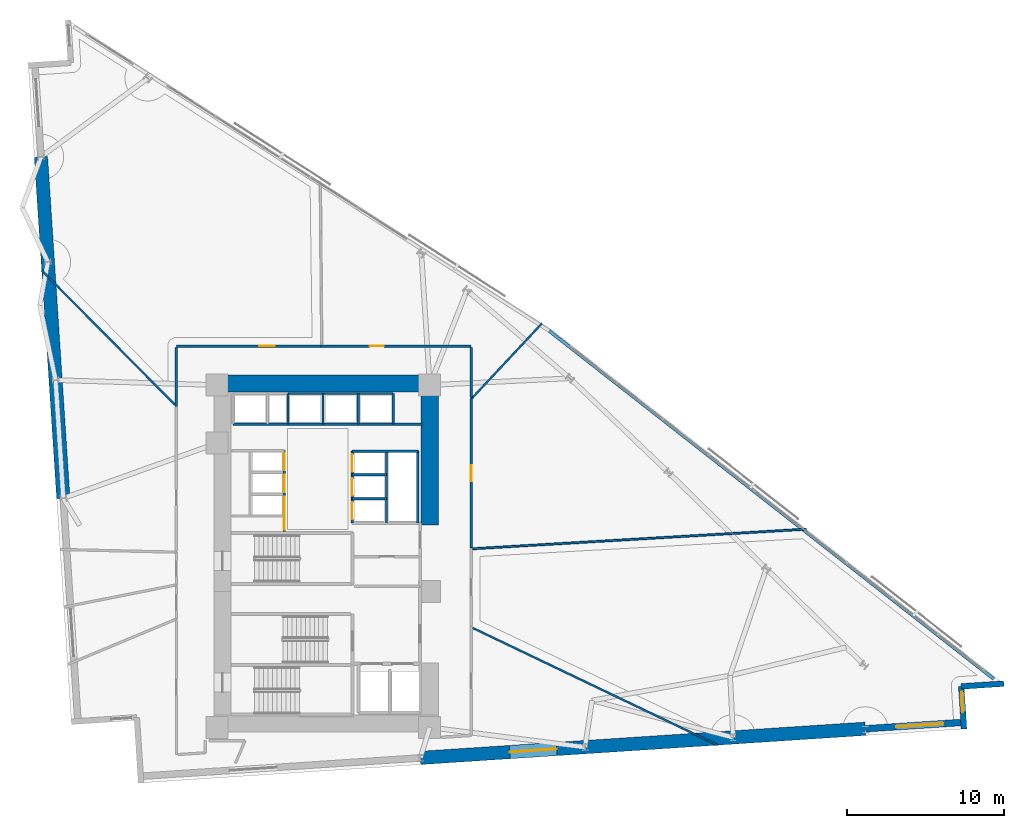
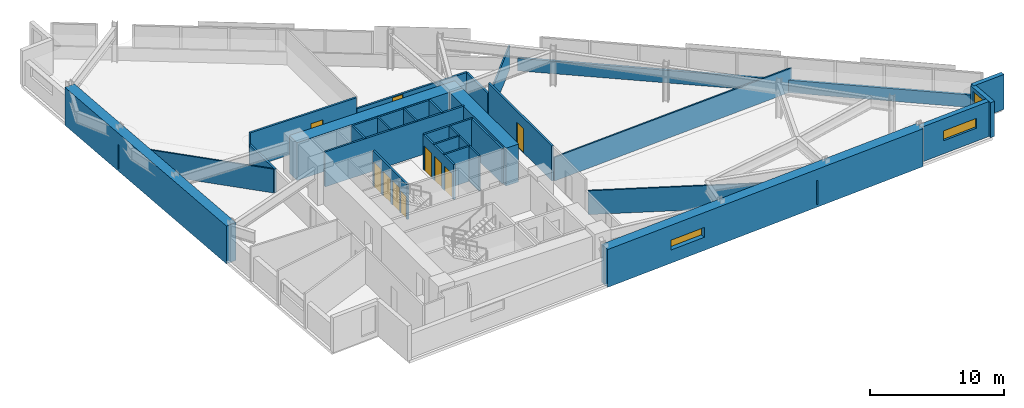
# One storey, part 12 of 15: 30 walls, 10 doors, 3 windows, 13 openings.
"""IFC4 building model written with IfcOpenShell, lengths in metres."""

import ifcopenshell
import ifcopenshell.guid

model = None  # the IFC model being written
_history = None  # IfcOwnerHistory: only IFC2X3 demands one
_inside = {}  # id of a spatial element -> (the spatial element, [elements in it])
_under = {}  # id of a project, library or spatial element -> (it, [spatial elements below it])
_declared = {}  # id of a project -> (the project, [libraries it declares])
_typed = {}  # id of a type object -> (the type object, [elements of that type])
_made_of = {}  # id of a material, layer set ... -> (it, [elements and type objects made of it])


def new_model(schema):
    """Start an empty IFC model of exactly this schema.

    Asked for "IFC4X3", IfcOpenShell would pick the latest addendum, in which some entities
    have other attributes; the version numbers below select the first issue.
    IFC2X3 requires an IfcOwnerHistory on every rooted entity: one is made here for all.
    """
    global model, _history
    if schema == "IFC4X3":
        model = ifcopenshell.file(schema_version=(4, 3, 0, 0))
    else:
        model = ifcopenshell.file(schema=schema)
    _inside.clear()
    _under.clear()
    _declared.clear()
    _typed.clear()
    _made_of.clear()
    _history = None
    if model.schema == "IFC2X3":
        org = make("IfcOrganization", Name="unknown")
        user = make(
            "IfcPersonAndOrganization",
            ThePerson=make("IfcPerson", FamilyName="unknown"),
            TheOrganization=org,
        )
        app = make(
            "IfcApplication",
            ApplicationDeveloper=org,
            Version="unknown",
            ApplicationFullName="unknown",
            ApplicationIdentifier="unknown",
        )
        _history = make(
            "IfcOwnerHistory",
            OwningUser=user,
            OwningApplication=app,
            ChangeAction="ADDED",
            CreationDate=0,
        )
    return model


def make(cls, **values):
    """One entity of the class cls with the attributes given. An attribute that is None is left unset."""
    return model.create_entity(
        cls, **{name: value for name, value in values.items() if value is not None}
    )


def rooted(cls, **values):
    """An entity with a GlobalId (a new one), such as an element, a storey or a relation."""
    return make(cls, GlobalId=ifcopenshell.guid.new(), OwnerHistory=_history, **values)


def si_unit(unit_type, name, prefix=None):
    """IfcSIUnit, for example si_unit("LENGTHUNIT", "METRE", prefix="MILLI")."""
    return make("IfcSIUnit", UnitType=unit_type, Prefix=prefix, Name=name)


def assignment(units):
    """IfcUnitAssignment: the units of a project."""
    return None if units is None else make("IfcUnitAssignment", Units=units)


def point(xyz):
    """IfcCartesianPoint."""
    return None if xyz is None else make("IfcCartesianPoint", Coordinates=xyz)


def direction(xyz):
    """IfcDirection."""
    return None if xyz is None else make("IfcDirection", DirectionRatios=xyz)


def frame(location, z_axis=None, x_axis=None):
    """IfcAxis2Placement3D, a coordinate frame: its origin and axes. An axis left out is left unset."""
    return make(
        "IfcAxis2Placement3D",
        Location=point(location),
        Axis=direction(z_axis),
        RefDirection=direction(x_axis),
    )


def frame_2d(location, x_axis=None):
    """IfcAxis2Placement2D, a coordinate frame in the plane: its origin and x axis."""
    return make(
        "IfcAxis2Placement2D", Location=point(location), RefDirection=direction(x_axis)
    )


def origin():
    """The frame at (0, 0, 0) with its axes left unset."""
    return frame((0.0, 0.0, 0.0))


def place(relative_to, where):
    """IfcLocalPlacement: puts the frame where relative to a parent placement (None: the world)."""
    return make(
        "IfcLocalPlacement", PlacementRelTo=relative_to, RelativePlacement=where
    )


def context(
    kind, dimensions, precision=None, world=None, true_north=None, identifier=None
):
    """IfcGeometricRepresentationContext, for example the 3D "Model" context."""
    return make(
        "IfcGeometricRepresentationContext",
        ContextIdentifier=identifier,
        ContextType=kind,
        CoordinateSpaceDimension=dimensions,
        Precision=precision,
        WorldCoordinateSystem=world,
        TrueNorth=true_north,
    )


def subcontext(parent, identifier, kind, view, scale=None):
    """IfcGeometricRepresentationSubContext, for example "Body" below "Model"."""
    return make(
        "IfcGeometricRepresentationSubContext",
        ContextIdentifier=identifier,
        ContextType=kind,
        ParentContext=parent,
        TargetScale=scale,
        TargetView=view,
    )


def project(units=None, contexts=None):
    """IfcProject with its units and contexts."""
    return rooted(
        "IfcProject",
        Name="project",
        RepresentationContexts=contexts,
        UnitsInContext=assignment(units),
    )


def spatial(cls, under=None, at=None, **own):
    """A site, building, storey or space (cls), placed at a placement, below another one or the project."""
    s = rooted(cls, ObjectPlacement=at, **own)
    if under is not None:
        _under.setdefault(under.id(), (under, []))[1].append(s)
    return s


def profile(cls, at=None, kind="AREA", **sizes):
    """A parametric profile (cls). Its sizes go by their IFC names, for example OverallWidth=200.0."""
    return make(cls, ProfileType=kind, Position=at, **sizes)


def rectangle(**sizes):
    """IfcRectangleProfileDef."""
    return profile("IfcRectangleProfileDef", **sizes)


def extrude(swept, where, along, depth):
    """IfcExtrudedAreaSolid: the profile swept, set in the frame where, extruded along a direction by depth."""
    return make(
        "IfcExtrudedAreaSolid",
        SweptArea=swept,
        Position=where,
        ExtrudedDirection=direction(along),
        Depth=depth,
    )


def shape(context_of_items, identifier, shape_type, items):
    """IfcShapeRepresentation: the items that make up one representation, for example the "Body"."""
    return make(
        "IfcShapeRepresentation",
        ContextOfItems=context_of_items,
        RepresentationIdentifier=identifier,
        RepresentationType=shape_type,
        Items=items,
    )


def material(Name=None, Category=None):
    """IfcMaterial."""
    return make("IfcMaterial", Name=Name, Category=Category)


def layer(
    of_material, thickness, ventilated=None, Name=None, Category=None, Priority=None
):
    """IfcMaterialLayer: one layer of a wall or slab, of a material (None: an air gap)."""
    return make(
        "IfcMaterialLayer",
        Material=of_material,
        LayerThickness=thickness,
        IsVentilated=ventilated,
        Name=Name,
        Category=Category,
        Priority=Priority,
    )


def layer_set(layers, Name=None):
    """IfcMaterialLayerSet."""
    return make("IfcMaterialLayerSet", MaterialLayers=layers, LayerSetName=Name)


def made_of(thing, what):
    """Note that an element or type object is made of a material, layer set ...; save() writes the relation."""
    if what is not None:
        _made_of.setdefault(what.id(), (what, []))[1].append(thing)
    return thing


def type_object(cls, material=None, **own):
    """A type object (cls), such as IfcWallType, which elements share."""
    return made_of(rooted(cls, **own), material)


def element(
    cls,
    number,
    at=None,
    inside=None,
    cuts=None,
    type_object=None,
    material=None,
    context=None,
    identifier="Body",
    shape_type=None,
    held_by="IfcProductDefinitionShape",
    body=None,
    shapes=None,
    **own,
):
    """One element of the class cls, such as IfcWall. Its Tag is "e" and its number.

    at: its placement. inside: the storey or other place that contains it. cuts: it is an
    opening in that element (IfcRelVoidsElement). A single representation is given by context,
    identifier, shape_type and body (its items); several are given by shapes. held_by: the class
    of the entity that holds the representations. save() writes the other relations.
    """
    e = rooted(cls, Tag="e%d" % number, ObjectPlacement=at, **own)
    if body is not None:
        shapes = [shape(context, identifier, shape_type, body)]
    if shapes is not None:
        e.Representation = make(held_by, Representations=shapes)
    if inside is not None:
        _inside.setdefault(inside.id(), (inside, []))[1].append(e)
    if cuts is not None:
        rooted(
            "IfcRelVoidsElement", RelatingBuildingElement=cuts, RelatedOpeningElement=e
        )
    if type_object is not None:
        _typed.setdefault(type_object.id(), (type_object, []))[1].append(e)
    return made_of(e, material)


def fill(opening, filler):
    """IfcRelFillsElement: the door or window that sits in an opening."""
    return rooted(
        "IfcRelFillsElement",
        RelatingOpeningElement=opening,
        RelatedBuildingElement=filler,
    )


def aggregate(whole, parts):
    """IfcRelAggregates: a whole, such as a stair, and the parts it consists of."""
    return rooted("IfcRelAggregates", RelatingObject=whole, RelatedObjects=parts)


def save(model, path):
    """Write the relations noted so far, then the file.

    IfcRelAggregates (storeys below a building ...), IfcRelContainedInSpatialStructure (elements
    in a storey), IfcRelDefinesByType, IfcRelAssociatesMaterial and IfcRelDeclares: one each for
    every whole, place, type object, material and project.
    """
    for whole, parts in _under.values():
        aggregate(whole, parts)
    for where, things in _inside.values():
        rooted(
            "IfcRelContainedInSpatialStructure",
            RelatedElements=things,
            RelatingStructure=where,
        )
    for kind, things in _typed.values():
        rooted("IfcRelDefinesByType", RelatedObjects=things, RelatingType=kind)
    for what, things in _made_of.values():
        rooted("IfcRelAssociatesMaterial", RelatedObjects=things, RelatingMaterial=what)
    for by, libraries in _declared.values():
        rooted("IfcRelDeclares", RelatingContext=by, RelatedDefinitions=libraries)
    model.write(path)


model = new_model("IFC4")

# Units and contexts
model_context = context("Model", 3, precision=1e-05, world=origin(), true_north=direction((0.0, 1.0)))
body_context = subcontext(model_context, "Body", "Model", "MODEL_VIEW")
ifc_project = project(units=[si_unit("LENGTHUNIT", "METRE"), si_unit("AREAUNIT", "SQUARE_METRE"), si_unit("VOLUMEUNIT", "CUBIC_METRE"), si_unit("PLANEANGLEUNIT", "RADIAN"), si_unit("MASSUNIT", "GRAM", prefix="KILO")], contexts=[model_context])

# Site, building, storey
site_placement = place(None, origin())
site = spatial("IfcSite", under=ifc_project, at=site_placement, CompositionType="ELEMENT")
building_placement = place(site_placement, origin())
building = spatial("IfcBuilding", under=site, at=building_placement, Name="Narakoshi Arena Tower", CompositionType="ELEMENT")
storey_placement = place(building_placement, frame((0.0, 0.0, 92.10009765625)))
storey = spatial("IfcBuildingStorey", under=building, at=storey_placement, Name="L24", CompositionType="ELEMENT", Elevation=92.10009765625)

# Walls
ifc_material_1 = material(Name="Concrete C60/75", Category="concrete")
ifc_layer_1 = layer(ifc_material_1, 1.10009765625)
ifc_layer_set_1 = layer_set([ifc_layer_1], Name="Concrete C60/75")
wall_type_1 = type_object("IfcWallType", Name="WL-CORE-1100", PredefinedType="SHEAR", material=ifc_layer_set_1)
wall_1_placement = place(storey_placement, frame((71.800048828125, 56.60009765625, -0.260009765625), z_axis=(0.0, 0.0, 1.0), x_axis=(1.0, 0.0, 0.0)))
element("IfcWall", 1, at=wall_1_placement, inside=storey, type_object=wall_type_1, Name="L24 Main Core Shear Wall CW-MN-N", PredefinedType="SHEAR", context=body_context, shape_type="SweptSolid", body=[
    extrude(rectangle(XDim=14.300048828125, YDim=1.10009765625, at=frame_2d((7.14990234375, 0.0))), origin(), (0.0, 0.0, 1.0), 3.4599609375),
])
wall_2_placement = place(storey_placement, frame((85.550048828125, 47.60009765625, -0.260009765625), z_axis=(0.0, 0.0, 1.0), x_axis=(0.0, 1.0, 0.0)))
element("IfcWall", 2, at=wall_2_placement, inside=storey, type_object=wall_type_1, Name="L24 Main Core Shear Wall CW-MN-E", PredefinedType="SHEAR", context=body_context, shape_type="SweptSolid", body=[
    extrude(rectangle(XDim=8.449951171875, YDim=1.10009765625, at=frame_2d((4.22509765625, 0.0))), origin(), (0.0, 0.0, 1.0), 3.4599609375),
])

# Wall, opening, door
ifc_material_2 = material(Name="Gypsum plasterboard fire-rated partition")
ifc_layer_2 = layer(ifc_material_2, 0.1650390625)
ifc_layer_set_2 = layer_set([ifc_layer_2], Name="Gypsum plasterboard fire-rated partition")
wall_type_2 = type_object("IfcWallType", Name="WL-CORR-165", PredefinedType="PARTITIONING", material=ifc_layer_set_2)
wall_3_placement = place(storey_placement, frame((88.193603515625, 46.12890625, 0.0), z_axis=(0.0, 0.0, 1.0), x_axis=(0.0, 1.0, 0.0)))
wall_3 = element("IfcWall", 3, at=wall_3_placement, inside=storey, type_object=wall_type_2, Name="L24 Corridor Partition 06-1", PredefinedType="PARTITIONING", context=body_context, shape_type="SweptSolid", body=[
    extrude(rectangle(XDim=9.509521484375, YDim=0.1650390625, at=frame_2d((4.7548828125, 0.0))), origin(), (0.0, 0.0, 1.0), 3.199951171875),
])
opening_1_placement = place(wall_3_placement, frame((4.254638671875, 0.0, 0.0)))
opening_1 = element("IfcOpeningElement", 4, at=opening_1_placement, cuts=wall_3, Name="Opening D-06", PredefinedType="OPENING", context=body_context, shape_type="SweptSolid", body=[
    extrude(rectangle(XDim=1.0, YDim=2.199951171875, at=frame_2d((0.5, 1.10009765625))), frame((0.0, 0.092529296875, 0.0), z_axis=(0.0, -1.0, 0.0), x_axis=(1.0, 0.0, 0.0)), (0.0, 0.0, 1.0), 0.18505859375),
])
ifc_material_3 = material(Name="Stained oak solid-core timber", Category="wood")
door_type_1 = type_object("IfcDoorType", Name="DR-OFF-1000", OperationType="NOTDEFINED", PredefinedType="DOOR", material=ifc_material_3)
door_1_placement = place(opening_1_placement, frame((1.0, 0.0, 0.0), z_axis=(0.0, 0.0, 1.0), x_axis=(-1.0, 0.0, 0.0)))
door_1 = element("IfcDoor", 5, at=door_1_placement, inside=storey, type_object=door_type_1, Name="DR-L24-021", OperationType="SINGLE_SWING_LEFT", OverallHeight=2.199951171875, OverallWidth=1.0, PredefinedType="DOOR", context=body_context, shape_type="SweptSolid", body=[
    extrude(rectangle(XDim=1.0, YDim=2.199951171875, at=frame_2d((0.5, 1.10009765625))), frame((0.0, 0.02490234375, 0.0), z_axis=(0.0, -1.0, 0.0), x_axis=(1.0, 0.0, 0.0)), (0.0, 0.0, 1.0), 0.050048828125),
])
fill(opening_1, door_1)

wall_4_placement = place(storey_placement, frame((88.193603515625, 58.985107421875, 0.0), z_axis=(0.0, 0.0, 1.0), x_axis=(-1.0, 0.0, 0.0)))
wall_4 = element("IfcWall", 6, at=wall_4_placement, inside=storey, type_object=wall_type_2, Name="L24 Corridor Partition 07-1", PredefinedType="PARTITIONING", context=body_context, shape_type="SweptSolid", body=[
    extrude(rectangle(XDim=9.556884765625, YDim=0.1650390625, at=frame_2d((4.7783203125, 0.0))), origin(), (0.0, 0.0, 1.0), 2.177001953125),
])
opening_2_placement = place(wall_4_placement, frame((5.56689453125, 0.0, 0.0)))
opening_2 = element("IfcOpeningElement", 7, at=opening_2_placement, cuts=wall_4, Name="Opening D-08", PredefinedType="OPENING", context=body_context, shape_type="SweptSolid", body=[
    extrude(rectangle(XDim=0.89990234375, YDim=2.10009765625, at=frame_2d((0.449951171875, 1.050048828125))), frame((0.0, 0.092529296875, 0.0), z_axis=(0.0, -1.0, 0.0), x_axis=(1.0, 0.0, 0.0)), (0.0, 0.0, 1.0), 0.18505859375),
])
ifc_material_4 = material(Name="Moisture-resistant laminate timber", Category="wood")
door_type_2 = type_object("IfcDoorType", Name="DR-WC-900", OperationType="NOTDEFINED", PredefinedType="DOOR", material=ifc_material_4)
door_2_placement = place(opening_2_placement, frame((0.89990234375, 0.0, 0.0), z_axis=(0.0, 0.0, 1.0), x_axis=(-1.0, 0.0, 0.0)))
door_2 = element("IfcDoor", 8, at=door_2_placement, inside=storey, type_object=door_type_2, Name="DR-L24-022", OperationType="SINGLE_SWING_RIGHT", OverallHeight=2.10009765625, OverallWidth=0.89990234375, PredefinedType="DOOR", context=body_context, shape_type="SweptSolid", body=[
    extrude(rectangle(XDim=0.89990234375, YDim=2.10009765625, at=frame_2d((0.449951171875, 1.050048828125))), frame((0.0, 0.02490234375, 0.0), z_axis=(0.0, -1.0, 0.0), x_axis=(1.0, 0.0, 0.0)), (0.0, 0.0, 1.0), 0.050048828125),
])
fill(opening_2, door_2)

# Wall
wall_5_placement = place(storey_placement, frame((88.193603515625, 55.72265625, 0.0), z_axis=(0.0, 0.0, 1.0), x_axis=(0.0, 1.0, 0.0)))
element("IfcWall", 9, at=wall_5_placement, inside=storey, type_object=wall_type_2, Name="L24 Corridor Partition 07-2", PredefinedType="PARTITIONING", context=body_context, shape_type="SweptSolid", body=[
    extrude(rectangle(XDim=3.167724609375, YDim=0.1650390625, at=frame_2d((1.583984375, 0.0))), origin(), (0.0, 0.0, 1.0), 2.177001953125),
])

# Wall, opening, door
wall_6_placement = place(storey_placement, frame((78.61279296875, 58.985107421875, 0.0), z_axis=(0.0, 0.0, 1.0), x_axis=(-1.0, 0.0, 0.0)))
wall_6 = element("IfcWall", 10, at=wall_6_placement, inside=storey, type_object=wall_type_2, Name="L24 Corridor Partition 08-1", PredefinedType="PARTITIONING", context=body_context, shape_type="SweptSolid", body=[
    extrude(rectangle(XDim=9.19775390625, YDim=0.1650390625, at=frame_2d((4.598876953125, 0.0))), origin(), (0.0, 0.0, 1.0), 3.199951171875),
])
opening_3_placement = place(wall_6_placement, frame((2.92919921875, 0.0, 0.0)))
opening_3 = element("IfcOpeningElement", 11, at=opening_3_placement, cuts=wall_6, Name="Opening D-06", PredefinedType="OPENING", context=body_context, shape_type="SweptSolid", body=[
    extrude(rectangle(XDim=1.0, YDim=2.199951171875, at=frame_2d((0.5, 1.10009765625))), frame((0.0, 0.092529296875, 0.0), z_axis=(0.0, -1.0, 0.0), x_axis=(1.0, 0.0, 0.0)), (0.0, 0.0, 1.0), 0.18505859375),
])
door_3_placement = place(opening_3_placement, frame((1.0, 0.0, 0.0), z_axis=(0.0, 0.0, 1.0), x_axis=(-1.0, 0.0, 0.0)))
door_3 = element("IfcDoor", 12, at=door_3_placement, inside=storey, type_object=door_type_1, Name="DR-L24-023", OperationType="SINGLE_SWING_LEFT", OverallHeight=2.199951171875, OverallWidth=1.0, PredefinedType="DOOR", context=body_context, shape_type="SweptSolid", body=[
    extrude(rectangle(XDim=1.0, YDim=2.199951171875, at=frame_2d((0.5, 1.10009765625))), frame((0.0, 0.02490234375, 0.0), z_axis=(0.0, -1.0, 0.0), x_axis=(1.0, 0.0, 0.0)), (0.0, 0.0, 1.0), 0.050048828125),
])
fill(opening_3, door_3)

# Wall
wall_7_placement = place(storey_placement, frame((69.4150390625, 58.890380859375, 0.0), z_axis=(0.0, 0.0, 1.0), x_axis=(0.0, -1.0, 0.0)))
element("IfcWall", 13, at=wall_7_placement, inside=storey, type_object=wall_type_2, Name="L24 Corridor Partition 08-2", PredefinedType="PARTITIONING", context=body_context, shape_type="SweptSolid", body=[
    extrude(rectangle(XDim=3.73974609375, YDim=0.1650390625, at=frame_2d((1.869873046875, 0.0))), origin(), (0.0, 0.0, 1.0), 2.177001953125),
])

# Wall, opening, window
ifc_layer_3 = layer(ifc_material_1, 0.85009765625)
ifc_layer_set_3 = layer_set([ifc_layer_3], Name="Concrete C60/75")
wall_type_3 = type_object("IfcWallType", Name="WL-LEG-850", PredefinedType="SHEAR", material=ifc_layer_set_3)
wall_8_placement = place(storey_placement, frame((84.95703125, 32.7509765625, -0.260009765625), z_axis=(0.0, 0.0, 1.0), x_axis=(0.997859046449, 0.065401249368, 0.0)))
wall_8 = element("IfcWall", 14, at=wall_8_placement, inside=storey, type_object=wall_type_3, Name="L24 Architectural Concrete Structural Wall LEGA-2", PredefinedType="SHEAR", context=body_context, shape_type="SweptSolid", body=[
    extrude(rectangle(XDim=28.400390625, YDim=0.85009765625, at=frame_2d((14.2001953125, 0.0))), origin(), (0.0, 0.0, 1.0), 3.4599609375),
])
opening_4_placement = place(wall_8_placement, frame((5.699951171875, 0.0, 1.199951171875)))
opening_4 = element("IfcOpeningElement", 15, at=opening_4_placement, cuts=wall_8, Name="Opening WN-03", PredefinedType="OPENING", context=body_context, shape_type="SweptSolid", body=[
    extrude(rectangle(XDim=3.0, YDim=0.89990234375, at=frame_2d((1.5, 0.449951171875))), frame((0.0, 0.43505859375, 0.0), z_axis=(0.0, -1.0, 0.0), x_axis=(1.0, 0.0, 0.0)), (0.0, 0.0, 1.0), 0.8701171875),
])
ifc_material_5 = material(Name="Bronze-tinted low-E laminated glass", Category="glass")
window_type_1 = type_object("IfcWindowType", Name="WIN-SLT-30x09", PartitioningType="SINGLE_PANEL", PredefinedType="WINDOW", material=ifc_material_5)
window_1_placement = place(opening_4_placement, origin())
window_1 = element("IfcWindow", 16, at=window_1_placement, inside=storey, type_object=window_type_1, Name="L24 LEGA2 Horizontal Slot Window 1", OverallHeight=0.89990234375, OverallWidth=3.0, PartitioningType="SINGLE_PANEL", PredefinedType="WINDOW", context=body_context, shape_type="SweptSolid", body=[
    extrude(rectangle(XDim=3.0, YDim=0.89990234375, at=frame_2d((1.5, 0.449951171875))), frame((0.0, 0.030029296875, 0.0), z_axis=(0.0, -1.0, 0.0), x_axis=(1.0, 0.0, 0.0)), (0.0, 0.0, 1.0), 0.06005859375),
])
fill(opening_4, window_1)

# Walls
wall_9_placement = place(storey_placement, frame((60.785400390625, 71.031005859375, -0.260009765625), z_axis=(0.0, 0.0, 1.0), x_axis=(0.065409824833, -0.997858484363, 0.0)))
element("IfcWall", 17, at=wall_9_placement, inside=storey, type_object=wall_type_3, Name="L24 Architectural Concrete Structural Wall LEGB-2", PredefinedType="SHEAR", context=body_context, shape_type="SweptSolid", body=[
    extrude(rectangle(XDim=21.78271484375, YDim=0.85009765625, at=frame_2d((10.891357421875, 0.0))), origin(), (0.0, 0.0, 1.0), 3.4599609375),
])
ifc_material_6 = material(Name="Precast concrete C45/55", Category="concrete")
ifc_layer_4 = layer(ifc_material_6, 0.25)
ifc_layer_set_4 = layer_set([ifc_layer_4], Name="Precast concrete C45/55")
wall_type_4 = type_object("IfcWallType", Name="WL-PARA-250", PredefinedType="PARAPET", material=ifc_layer_set_4)
wall_10_placement = place(storey_placement, frame((121.47607421875, 37.781494140625, 0.0), z_axis=(0.0, 0.0, 1.0), x_axis=(-0.787385636484, 0.61646075257, 0.0)))
element("IfcWall", 18, at=wall_10_placement, inside=storey, type_object=wall_type_4, Name="L24 Hypotenuse Sill Upstand Parapet 1-01", PredefinedType="PARAPET", context=body_context, shape_type="SweptSolid", body=[
    extrude(rectangle(XDim=35.957275390625, YDim=0.199951171875, at=frame_2d((17.978515625, 0.0))), origin(), (0.0, 0.0, 1.0), 1.14990234375),
])
ifc_layer_5 = layer(ifc_material_2, 0.125)
ifc_layer_set_5 = layer_set([ifc_layer_5], Name="Gypsum plasterboard fire-rated partition")
wall_type_5 = type_object("IfcWallType", Name="WL-PART-125", PredefinedType="PARTITIONING", material=ifc_layer_set_5)
wall_11_placement = place(storey_placement, frame((88.2880859375, 41.031005859375, 0.0), z_axis=(0.0, 0.0, 1.0), x_axis=(0.90213016178, -0.431463985991, 0.0)))
element("IfcWall", 19, at=wall_11_placement, inside=storey, type_object=wall_type_5, Name="L24 Inter-Room Partition 04-05", PredefinedType="PARTITIONING", context=body_context, shape_type="SweptSolid", body=[
    extrude(rectangle(XDim=17.300537109375, YDim=0.125, at=frame_2d((8.650390625, 0.0))), origin(), (0.0, 0.0, 1.0), 2.177001953125),
])
wall_12_placement = place(storey_placement, frame((88.2880859375, 46.07470703125, 0.0), z_axis=(0.0, 0.0, 1.0), x_axis=(0.998275677545, 0.058699843454, 0.0)))
element("IfcWall", 20, at=wall_12_placement, inside=storey, type_object=wall_type_5, Name="L24 Inter-Room Partition 05-06", PredefinedType="PARTITIONING", context=body_context, shape_type="SweptSolid", body=[
    extrude(rectangle(XDim=21.294677734375, YDim=0.125, at=frame_2d((10.6474609375, 0.0))), origin(), (0.0, 0.0, 1.0), 2.177001953125),
])
wall_13_placement = place(storey_placement, frame((88.216796875, 55.638427734375, 0.0), z_axis=(0.0, 0.0, 1.0), x_axis=(0.683038758591, 0.730382128932, 0.0)))
element("IfcWall", 21, at=wall_13_placement, inside=storey, type_object=wall_type_5, Name="L24 Inter-Room Partition 06-07", PredefinedType="PARTITIONING", context=body_context, shape_type="SweptSolid", body=[
    extrude(rectangle(XDim=6.564697265625, YDim=0.125, at=frame_2d((3.2822265625, 0.0))), origin(), (0.0, 0.0, 1.0), 2.177001953125),
])
wall_14_placement = place(storey_placement, frame((69.320556640625, 55.24609375, 0.0), z_axis=(0.0, 0.0, 1.0), x_axis=(-0.704183883147, 0.710017646763, 0.0)))
element("IfcWall", 22, at=wall_14_placement, inside=storey, type_object=wall_type_5, Name="L24 Inter-Room Partition 08-09", PredefinedType="PARTITIONING", context=body_context, shape_type="SweptSolid", body=[
    extrude(rectangle(XDim=12.052734375, YDim=0.125, at=frame_2d((6.0263671875, 0.0))), origin(), (0.0, 0.0, 1.0), 2.177001953125),
])

# Wall, opening, window
ifc_layer_6 = layer(ifc_material_6, 0.419921875)
ifc_layer_set_6 = layer_set([ifc_layer_6], Name="Precast concrete C45/55")
wall_type_6 = type_object("IfcWallType", Name="WL-POD-420", PredefinedType="SOLIDWALL", material=ifc_layer_set_6)
wall_15_placement = place(storey_placement, frame((113.296630859375, 34.6083984375, 0.0), z_axis=(0.0, 0.0, 1.0), x_axis=(0.997857907016, 0.065418631945, 0.0)))
wall_15 = element("IfcWall", 23, at=wall_15_placement, inside=storey, type_object=wall_type_6, Name="L24 Architectural Concrete Facade Wall LEGA-3", PredefinedType="SOLIDWALL", context=body_context, shape_type="SweptSolid", body=[
    extrude(rectangle(XDim=6.2734375, YDim=0.419921875, at=frame_2d((3.13671875, 0.0))), origin(), (0.0, 0.0, 1.0), 3.199951171875),
])
opening_5_placement = place(wall_15_placement, frame((1.97998046875, 0.0, 1.199951171875)))
opening_5 = element("IfcOpeningElement", 24, at=opening_5_placement, cuts=wall_15, Name="Opening WN-03", PredefinedType="OPENING", context=body_context, shape_type="SweptSolid", body=[
    extrude(rectangle(XDim=3.0, YDim=0.89990234375, at=frame_2d((1.5, 0.449951171875))), frame((0.0, 0.219970703125, 0.0), z_axis=(0.0, -1.0, 0.0), x_axis=(1.0, 0.0, 0.0)), (0.0, 0.0, 1.0), 0.43994140625),
])
window_2_placement = place(opening_5_placement, origin())
window_2 = element("IfcWindow", 25, at=window_2_placement, inside=storey, type_object=window_type_1, Name="L24 LEGA3 Horizontal Slot Window 1", OverallHeight=0.89990234375, OverallWidth=3.0, PartitioningType="SINGLE_PANEL", PredefinedType="WINDOW", context=body_context, shape_type="SweptSolid", body=[
    extrude(rectangle(XDim=3.0, YDim=0.89990234375, at=frame_2d((1.5, 0.449951171875))), frame((0.0, 0.030029296875, 0.0), z_axis=(0.0, -1.0, 0.0), x_axis=(1.0, 0.0, 0.0)), (0.0, 0.0, 1.0), 0.06005859375),
])
fill(opening_5, window_2)

wall_16_placement = place(storey_placement, frame((119.58447265625, 34.594482421875, 0.0), z_axis=(0.0, 0.0, 1.0), x_axis=(-0.065427374496, 0.997857333824, 0.0)))
wall_16 = element("IfcWall", 26, at=wall_16_placement, inside=storey, type_object=wall_type_6, Name="L24 Re-Entrant Corner Notch Wall NTE-1", PredefinedType="SOLIDWALL", context=body_context, shape_type="SweptSolid", body=[
    extrude(rectangle(XDim=2.716552734375, YDim=0.360107421875, at=frame_2d((1.3583984375, 0.0))), origin(), (0.0, 0.0, 1.0), 3.199951171875),
])
opening_6_placement = place(wall_16_placement, frame((1.076416015625, 0.0, 0.449951171875)))
opening_6 = element("IfcOpeningElement", 27, at=opening_6_placement, cuts=wall_16, Name="Opening WN-06", PredefinedType="OPENING", context=body_context, shape_type="SweptSolid", body=[
    extrude(rectangle(XDim=1.300048828125, YDim=2.39990234375, at=frame_2d((0.64990234375, 1.199951171875))), frame((0.0, 0.18994140625, 0.0), z_axis=(0.0, -1.0, 0.0), x_axis=(1.0, 0.0, 0.0)), (0.0, 0.0, 1.0), 0.380126953125),
])
window_type_2 = type_object("IfcWindowType", Name="WIN-NTC-16x24", PartitioningType="SINGLE_PANEL", PredefinedType="WINDOW", material=ifc_material_5)
window_3_placement = place(opening_6_placement, origin())
window_3 = element("IfcWindow", 28, at=window_3_placement, inside=storey, type_object=window_type_2, Name="L24 Corner Notch Window NTE", OverallHeight=2.39990234375, OverallWidth=1.300048828125, PartitioningType="SINGLE_PANEL", PredefinedType="WINDOW", context=body_context, shape_type="SweptSolid", body=[
    extrude(rectangle(XDim=1.300048828125, YDim=2.39990234375, at=frame_2d((0.64990234375, 1.199951171875))), frame((0.0, 0.030029296875, 0.0), z_axis=(0.0, -1.0, 0.0), x_axis=(1.0, 0.0, 0.0)), (0.0, 0.0, 1.0), 0.06005859375),
])
fill(opening_6, window_3)

# Walls
wall_17_placement = place(storey_placement, frame((119.40673828125, 37.30517578125, 0.0), z_axis=(0.0, 0.0, 1.0), x_axis=(0.99785694905, 0.065433242561, 0.0)))
element("IfcWall", 29, at=wall_17_placement, inside=storey, type_object=wall_type_6, Name="L24 Re-Entrant Corner Notch Wall NTE-2", PredefinedType="SOLIDWALL", context=body_context, shape_type="SweptSolid", body=[
    extrude(rectangle(XDim=2.71630859375, YDim=0.360107421875, at=frame_2d((1.358154296875, 0.0))), origin(), (0.0, 0.0, 1.0), 3.199951171875),
])
ifc_material_7 = material(Name="Concrete C40/50", Category="concrete")
ifc_layer_7 = layer(ifc_material_7, 0.280029296875)
ifc_layer_set_7 = layer_set([ifc_layer_7], Name="Concrete C40/50")
wall_type_7 = type_object("IfcWallType", Name="WL-RISER-280", PredefinedType="PLUMBINGWALL", material=ifc_layer_set_7)
for number, where, z_axis, x_axis, name in (
    (30, (80.60009765625, 49.260009765625, 0.0), (0.0, 0.0, 1.0), (1.0, 0.0, 0.0), "L24 Core Wall MR-D1"),
    (31, (80.60009765625, 50.780029296875, 0.0), (0.0, 0.0, 1.0), (1.0, 0.0, 0.0), "L24 Core Wall MR-D2"),
):
    element("IfcWall", number, at=place(storey_placement, frame(where, z_axis=z_axis, x_axis=x_axis)), inside=storey, type_object=wall_type_7, Name=name, PredefinedType="PLUMBINGWALL", context=body_context, shape_type="SweptSolid", body=[
        extrude(rectangle(XDim=2.199951171875, YDim=0.14990234375, at=frame_2d((1.10009765625, 0.0))), origin(), (0.0, 0.0, 1.0), 3.199951171875),
    ])
wall_18_placement = place(storey_placement, frame((82.800048828125, 47.699951171875, 0.0), z_axis=(0.0, 0.0, 1.0), x_axis=(0.0, 1.0, 0.0)))
element("IfcWall", 32, at=wall_18_placement, inside=storey, type_object=wall_type_7, Name="L24 Core Wall MR-E", PredefinedType="PLUMBINGWALL", context=body_context, shape_type="SweptSolid", body=[
    extrude(rectangle(XDim=4.60009765625, YDim=0.14990234375, at=frame_2d((2.300048828125, 0.0))), origin(), (0.0, 0.0, 1.0), 3.199951171875),
])
for number, where, z_axis, x_axis, name in (
    (33, (78.75, 54.02001953125, 0.0), (0.0, 0.0, 1.0), (0.0, 1.0, 0.0), "L24 Core Wall HR-D1"),
    (34, (81.0, 54.02001953125, 0.0), (0.0, 0.0, 1.0), (0.0, 1.0, 0.0), "L24 Core Wall HR-D2"),
):
    element("IfcWall", number, at=place(storey_placement, frame(where, z_axis=z_axis, x_axis=x_axis)), inside=storey, type_object=wall_type_7, Name=name, PredefinedType="PLUMBINGWALL", context=body_context, shape_type="SweptSolid", body=[
        extrude(rectangle(XDim=1.9599609375, YDim=0.14990234375, at=frame_2d((0.97998046875, 0.0))), origin(), (0.0, 0.0, 1.0), 3.199951171875),
    ])

# Wall, openings, doors
ifc_material_8 = material(Name="Concrete C50/60", Category="concrete")
ifc_layer_8 = layer(ifc_material_8, 0.35009765625)
ifc_layer_set_8 = layer_set([ifc_layer_8], Name="Concrete C50/60")
wall_type_8 = type_object("IfcWallType", Name="WL-SHAFT-350", PredefinedType="SOLIDWALL", material=ifc_layer_set_8)
wall_19_placement = place(storey_placement, frame((76.280029296875, 47.179931640625, 0.0), z_axis=(0.0, 0.0, 1.0), x_axis=(0.0, 1.0, 0.0)))
wall_19 = element("IfcWall", 35, at=wall_19_placement, inside=storey, type_object=wall_type_8, Name="L24 Core Wall LR-E", PredefinedType="SOLIDWALL", context=body_context, shape_type="SweptSolid", body=[
    extrude(rectangle(XDim=5.14013671875, YDim=0.159912109375, at=frame_2d((2.570068359375, 0.0))), origin(), (0.0, 0.0, 1.0), 3.199951171875),
])
opening_7_placement = place(wall_19_placement, frame((1.10009765625, 0.0, 0.0)))
opening_7 = element("IfcOpeningElement", 36, at=opening_7_placement, cuts=wall_19, Name="Opening LD-01", PredefinedType="OPENING", context=body_context, shape_type="SweptSolid", body=[
    extrude(rectangle(XDim=1.10009765625, YDim=2.25, at=frame_2d((0.550048828125, 1.125))), frame((0.0, 0.08984375, 0.0), z_axis=(0.0, -1.0, 0.0), x_axis=(1.0, 0.0, 0.0)), (0.0, 0.0, 1.0), 0.179931640625),
])
opening_8_placement = place(wall_19_placement, frame((2.5, 0.0, 0.0)))
opening_8 = element("IfcOpeningElement", 37, at=opening_8_placement, cuts=wall_19, Name="Opening LD-01", PredefinedType="OPENING", context=body_context, shape_type="SweptSolid", body=[
    extrude(rectangle(XDim=1.10009765625, YDim=2.25, at=frame_2d((0.550048828125, 1.125))), frame((0.0, 0.08984375, 0.0), z_axis=(0.0, -1.0, 0.0), x_axis=(1.0, 0.0, 0.0)), (0.0, 0.0, 1.0), 0.179931640625),
])
opening_9_placement = place(wall_19_placement, frame((3.89990234375, 0.0, 0.0)))
opening_9 = element("IfcOpeningElement", 38, at=opening_9_placement, cuts=wall_19, Name="Opening LD-01", PredefinedType="OPENING", context=body_context, shape_type="SweptSolid", body=[
    extrude(rectangle(XDim=1.10009765625, YDim=2.25, at=frame_2d((0.550048828125, 1.125))), frame((0.0, 0.08984375, 0.0), z_axis=(0.0, -1.0, 0.0), x_axis=(1.0, 0.0, 0.0)), (0.0, 0.0, 1.0), 0.179931640625),
])
opening_10_placement = place(wall_19_placement, frame((0.1201171875, 0.0, 0.0)))
opening_10 = element("IfcOpeningElement", 39, at=opening_10_placement, cuts=wall_19, Name="Opening D-10", PredefinedType="OPENING", context=body_context, shape_type="SweptSolid", body=[
    extrude(rectangle(XDim=0.85009765625, YDim=2.050048828125, at=frame_2d((0.425048828125, 1.02490234375))), frame((0.0, 0.08984375, 0.0), z_axis=(0.0, -1.0, 0.0), x_axis=(1.0, 0.0, 0.0)), (0.0, 0.0, 1.0), 0.179931640625),
])
ifc_material_9 = material(Name="Brushed bronze stainless steel", Category="steel")
door_type_3 = type_object("IfcDoorType", Name="DR-LFT-1100", OperationType="DOUBLE_DOOR_SLIDING", PredefinedType="DOOR", material=ifc_material_9)
door_4_placement = place(opening_7_placement, origin())
door_4 = element("IfcDoor", 40, at=door_4_placement, inside=storey, type_object=door_type_3, Name="DR-L24-009", OperationType="DOUBLE_DOOR_SLIDING", OverallHeight=2.25, OverallWidth=1.10009765625, PredefinedType="DOOR", context=body_context, shape_type="SweptSolid", body=[
    extrude(rectangle(XDim=1.10009765625, YDim=2.25, at=frame_2d((0.550048828125, 1.125))), frame((0.0, 0.02490234375, 0.0), z_axis=(0.0, -1.0, 0.0), x_axis=(1.0, 0.0, 0.0)), (0.0, 0.0, 1.0), 0.050048828125),
])
fill(opening_7, door_4)
door_5_placement = place(opening_8_placement, origin())
door_5 = element("IfcDoor", 41, at=door_5_placement, inside=storey, type_object=door_type_3, Name="DR-L24-010", OperationType="DOUBLE_DOOR_SLIDING", OverallHeight=2.25, OverallWidth=1.10009765625, PredefinedType="DOOR", context=body_context, shape_type="SweptSolid", body=[
    extrude(rectangle(XDim=1.10009765625, YDim=2.25, at=frame_2d((0.550048828125, 1.125))), frame((0.0, 0.02490234375, 0.0), z_axis=(0.0, -1.0, 0.0), x_axis=(1.0, 0.0, 0.0)), (0.0, 0.0, 1.0), 0.050048828125),
])
fill(opening_8, door_5)
door_6_placement = place(opening_9_placement, origin())
door_6 = element("IfcDoor", 42, at=door_6_placement, inside=storey, type_object=door_type_3, Name="DR-L24-011", OperationType="DOUBLE_DOOR_SLIDING", OverallHeight=2.25, OverallWidth=1.10009765625, PredefinedType="DOOR", context=body_context, shape_type="SweptSolid", body=[
    extrude(rectangle(XDim=1.10009765625, YDim=2.25, at=frame_2d((0.550048828125, 1.125))), frame((0.0, 0.02490234375, 0.0), z_axis=(0.0, -1.0, 0.0), x_axis=(1.0, 0.0, 0.0)), (0.0, 0.0, 1.0), 0.050048828125),
])
fill(opening_9, door_6)
ifc_material_10 = material(Name="Painted galvanized steel", Category="steel")
door_type_4 = type_object("IfcDoorType", Name="DR-RSR-850", OperationType="NOTDEFINED", PredefinedType="DOOR", material=ifc_material_10)
door_7_placement = place(opening_10_placement, frame((0.85009765625, 0.0, 0.0), z_axis=(0.0, 0.0, 1.0), x_axis=(-1.0, 0.0, 0.0)))
door_7 = element("IfcDoor", 43, at=door_7_placement, inside=storey, type_object=door_type_4, Name="DR-L24-012", OperationType="SINGLE_SWING_LEFT", OverallHeight=2.050048828125, OverallWidth=0.85009765625, PredefinedType="DOOR", context=body_context, shape_type="SweptSolid", body=[
    extrude(rectangle(XDim=0.85009765625, YDim=2.050048828125, at=frame_2d((0.425048828125, 1.02490234375))), frame((0.0, 0.02490234375, 0.0), z_axis=(0.0, -1.0, 0.0), x_axis=(1.0, 0.0, 0.0)), (0.0, 0.0, 1.0), 0.050048828125),
])
fill(opening_10, door_7)

wall_20_placement = place(storey_placement, frame((80.60009765625, 47.699951171875, 0.0), z_axis=(0.0, 0.0, 1.0), x_axis=(0.0, 1.0, 0.0)))
wall_20 = element("IfcWall", 44, at=wall_20_placement, inside=storey, type_object=wall_type_8, Name="L24 Core Wall MR-W", PredefinedType="SOLIDWALL", context=body_context, shape_type="SweptSolid", body=[
    extrude(rectangle(XDim=4.60009765625, YDim=0.159912109375, at=frame_2d((2.300048828125, 0.0))), origin(), (0.0, 0.0, 1.0), 3.199951171875),
])
opening_11_placement = place(wall_20_placement, frame((0.239990234375, 0.0, 0.0)))
opening_11 = element("IfcOpeningElement", 45, at=opening_11_placement, cuts=wall_20, Name="Opening LD-01", PredefinedType="OPENING", context=body_context, shape_type="SweptSolid", body=[
    extrude(rectangle(XDim=1.10009765625, YDim=2.25, at=frame_2d((0.550048828125, 1.125))), frame((0.0, 0.08984375, 0.0), z_axis=(0.0, -1.0, 0.0), x_axis=(1.0, 0.0, 0.0)), (0.0, 0.0, 1.0), 0.179931640625),
])
opening_12_placement = place(wall_20_placement, frame((1.760009765625, 0.0, 0.0)))
opening_12 = element("IfcOpeningElement", 46, at=opening_12_placement, cuts=wall_20, Name="Opening LD-01", PredefinedType="OPENING", context=body_context, shape_type="SweptSolid", body=[
    extrude(rectangle(XDim=1.10009765625, YDim=2.25, at=frame_2d((0.550048828125, 1.125))), frame((0.0, 0.08984375, 0.0), z_axis=(0.0, -1.0, 0.0), x_axis=(1.0, 0.0, 0.0)), (0.0, 0.0, 1.0), 0.179931640625),
])
opening_13_placement = place(wall_20_placement, frame((3.280029296875, 0.0, 0.0)))
opening_13 = element("IfcOpeningElement", 47, at=opening_13_placement, cuts=wall_20, Name="Opening LD-01", PredefinedType="OPENING", context=body_context, shape_type="SweptSolid", body=[
    extrude(rectangle(XDim=1.10009765625, YDim=2.25, at=frame_2d((0.550048828125, 1.125))), frame((0.0, 0.08984375, 0.0), z_axis=(0.0, -1.0, 0.0), x_axis=(1.0, 0.0, 0.0)), (0.0, 0.0, 1.0), 0.179931640625),
])
door_8_placement = place(opening_11_placement, frame((1.10009765625, 0.0, 0.0), z_axis=(0.0, 0.0, 1.0), x_axis=(-1.0, 0.0, 0.0)))
door_8 = element("IfcDoor", 48, at=door_8_placement, inside=storey, type_object=door_type_3, Name="DR-L24-013", OperationType="DOUBLE_DOOR_SLIDING", OverallHeight=2.25, OverallWidth=1.10009765625, PredefinedType="DOOR", context=body_context, shape_type="SweptSolid", body=[
    extrude(rectangle(XDim=1.10009765625, YDim=2.25, at=frame_2d((0.550048828125, 1.125))), frame((0.0, 0.02490234375, 0.0), z_axis=(0.0, -1.0, 0.0), x_axis=(1.0, 0.0, 0.0)), (0.0, 0.0, 1.0), 0.050048828125),
])
fill(opening_11, door_8)
door_9_placement = place(opening_12_placement, frame((1.10009765625, 0.0, 0.0), z_axis=(0.0, 0.0, 1.0), x_axis=(-1.0, 0.0, 0.0)))
door_9 = element("IfcDoor", 49, at=door_9_placement, inside=storey, type_object=door_type_3, Name="DR-L24-014", OperationType="DOUBLE_DOOR_SLIDING", OverallHeight=2.25, OverallWidth=1.10009765625, PredefinedType="DOOR", context=body_context, shape_type="SweptSolid", body=[
    extrude(rectangle(XDim=1.10009765625, YDim=2.25, at=frame_2d((0.550048828125, 1.125))), frame((0.0, 0.02490234375, 0.0), z_axis=(0.0, -1.0, 0.0), x_axis=(1.0, 0.0, 0.0)), (0.0, 0.0, 1.0), 0.050048828125),
])
fill(opening_12, door_9)
door_10_placement = place(opening_13_placement, frame((1.10009765625, 0.0, 0.0), z_axis=(0.0, 0.0, 1.0), x_axis=(-1.0, 0.0, 0.0)))
door_10 = element("IfcDoor", 50, at=door_10_placement, inside=storey, type_object=door_type_3, Name="DR-L24-015", OperationType="DOUBLE_DOOR_SLIDING", OverallHeight=2.25, OverallWidth=1.10009765625, PredefinedType="DOOR", context=body_context, shape_type="SweptSolid", body=[
    extrude(rectangle(XDim=1.10009765625, YDim=2.25, at=frame_2d((0.550048828125, 1.125))), frame((0.0, 0.02490234375, 0.0), z_axis=(0.0, -1.0, 0.0), x_axis=(1.0, 0.0, 0.0)), (0.0, 0.0, 1.0), 0.050048828125),
])
fill(opening_13, door_10)

# Walls
wall_21_placement = place(storey_placement, frame((80.60009765625, 52.300048828125, 0.0), z_axis=(0.0, 0.0, 1.0), x_axis=(1.0, 0.0, 0.0)))
element("IfcWall", 51, at=wall_21_placement, inside=storey, type_object=wall_type_8, Name="L24 Core Wall MR-N", PredefinedType="SOLIDWALL", context=body_context, shape_type="SweptSolid", body=[
    extrude(rectangle(XDim=4.219970703125, YDim=0.159912109375, at=frame_2d((2.10986328125, 0.0))), origin(), (0.0, 0.0, 1.0), 3.199951171875),
])
wall_22_placement = place(storey_placement, frame((84.780029296875, 47.699951171875, 0.0), z_axis=(0.0, 0.0, 1.0), x_axis=(0.0, 1.0, 0.0)))
element("IfcWall", 52, at=wall_22_placement, inside=storey, type_object=wall_type_8, Name="L24 Core Wall MR-E2", PredefinedType="SOLIDWALL", context=body_context, shape_type="SweptSolid", body=[
    extrude(rectangle(XDim=4.60009765625, YDim=0.159912109375, at=frame_2d((2.300048828125, 0.0))), origin(), (0.0, 0.0, 1.0), 3.199951171875),
])
wall_23_placement = place(storey_placement, frame((73.02001953125, 54.02001953125, 0.0), z_axis=(0.0, 0.0, 1.0), x_axis=(1.0, 0.0, 0.0)))
element("IfcWall", 53, at=wall_23_placement, inside=storey, type_object=wall_type_8, Name="L24 Core Wall NSHF-S", PredefinedType="SOLIDWALL", context=body_context, shape_type="SweptSolid", body=[
    extrude(rectangle(XDim=12.080078125, YDim=0.159912109375, at=frame_2d((6.0400390625, 0.0))), origin(), (0.0, 0.0, 1.0), 3.199951171875),
])
wall_24_placement = place(storey_placement, frame((76.52001953125, 54.02001953125, 0.0), z_axis=(0.0, 0.0, 1.0), x_axis=(0.0, 1.0, 0.0)))
element("IfcWall", 54, at=wall_24_placement, inside=storey, type_object=wall_type_8, Name="L24 Core Wall OBS-E", PredefinedType="SOLIDWALL", context=body_context, shape_type="SweptSolid", body=[
    extrude(rectangle(XDim=1.93994140625, YDim=0.14990234375, at=frame_2d((0.969970703125, 0.0))), origin(), (0.0, 0.0, 1.0), 3.199951171875),
])
wall_25_placement = place(storey_placement, frame((83.219970703125, 54.02001953125, 0.0), z_axis=(0.0, 0.0, 1.0), x_axis=(0.0, 1.0, 0.0)))
element("IfcWall", 55, at=wall_25_placement, inside=storey, type_object=wall_type_8, Name="L24 Core Wall HR-E", PredefinedType="SOLIDWALL", context=body_context, shape_type="SweptSolid", body=[
    extrude(rectangle(XDim=1.9599609375, YDim=0.14990234375, at=frame_2d((0.97998046875, 0.0))), origin(), (0.0, 0.0, 1.0), 3.199951171875),
])
wall_26_placement = place(storey_placement, frame((76.52001953125, 55.9599609375, 0.0), z_axis=(0.0, 0.0, 1.0), x_axis=(1.0, 0.0, 0.0)))
element("IfcWall", 56, at=wall_26_placement, inside=storey, type_object=wall_type_8, Name="L24 Core Wall HR-N", PredefinedType="SOLIDWALL", context=body_context, shape_type="SweptSolid", body=[
    extrude(rectangle(XDim=6.699951171875, YDim=0.14990234375, at=frame_2d((3.35009765625, 0.0))), origin(), (0.0, 0.0, 1.0), 3.199951171875),
])

save(model, "model.ifc")
